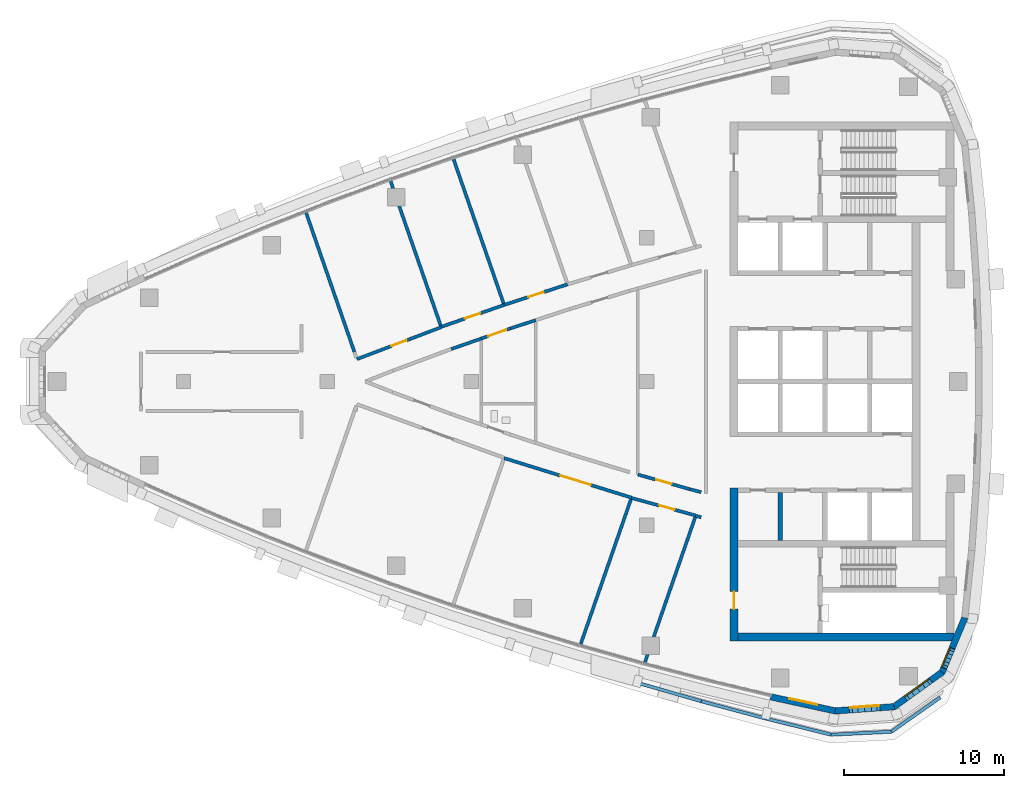
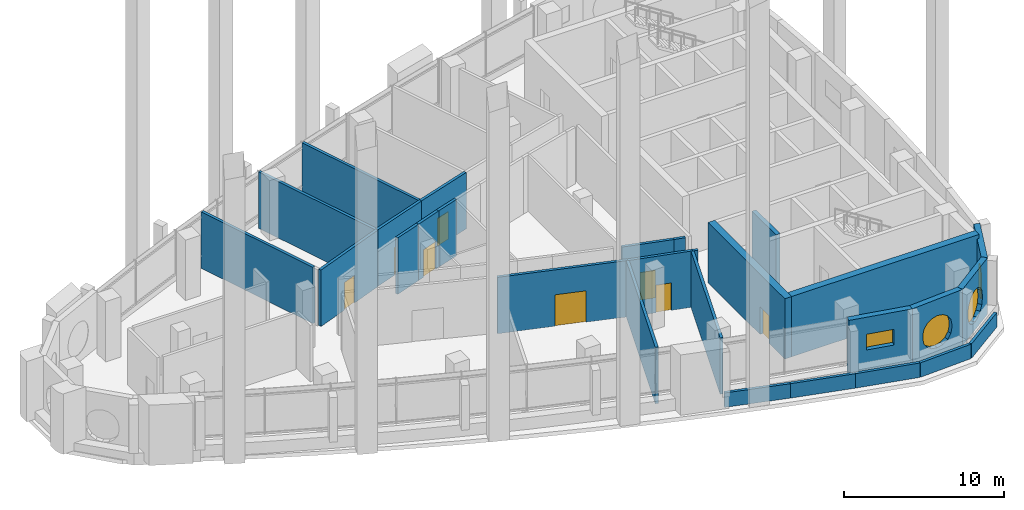
# One storey, part 7 of 15: 28 walls, 8 doors, 4 windows, 12 openings.
"""IFC4 building model written with IfcOpenShell, lengths in metres."""

import ifcopenshell
import ifcopenshell.guid

model = None  # the IFC model being written
_history = None  # IfcOwnerHistory: only IFC2X3 demands one
_inside = {}  # id of a spatial element -> (the spatial element, [elements in it])
_under = {}  # id of a project, library or spatial element -> (it, [spatial elements below it])
_declared = {}  # id of a project -> (the project, [libraries it declares])
_typed = {}  # id of a type object -> (the type object, [elements of that type])
_made_of = {}  # id of a material, layer set ... -> (it, [elements and type objects made of it])


def new_model(schema):
    """Start an empty IFC model of exactly this schema.

    Asked for "IFC4X3", IfcOpenShell would pick the latest addendum, in which some entities
    have other attributes; the version numbers below select the first issue.
    IFC2X3 requires an IfcOwnerHistory on every rooted entity: one is made here for all.
    """
    global model, _history
    if schema == "IFC4X3":
        model = ifcopenshell.file(schema_version=(4, 3, 0, 0))
    else:
        model = ifcopenshell.file(schema=schema)
    _inside.clear()
    _under.clear()
    _declared.clear()
    _typed.clear()
    _made_of.clear()
    _history = None
    if model.schema == "IFC2X3":
        org = make("IfcOrganization", Name="unknown")
        user = make(
            "IfcPersonAndOrganization",
            ThePerson=make("IfcPerson", FamilyName="unknown"),
            TheOrganization=org,
        )
        app = make(
            "IfcApplication",
            ApplicationDeveloper=org,
            Version="unknown",
            ApplicationFullName="unknown",
            ApplicationIdentifier="unknown",
        )
        _history = make(
            "IfcOwnerHistory",
            OwningUser=user,
            OwningApplication=app,
            ChangeAction="ADDED",
            CreationDate=0,
        )
    return model


def make(cls, **values):
    """One entity of the class cls with the attributes given. An attribute that is None is left unset."""
    return model.create_entity(
        cls, **{name: value for name, value in values.items() if value is not None}
    )


def rooted(cls, **values):
    """An entity with a GlobalId (a new one), such as an element, a storey or a relation."""
    return make(cls, GlobalId=ifcopenshell.guid.new(), OwnerHistory=_history, **values)


def si_unit(unit_type, name, prefix=None):
    """IfcSIUnit, for example si_unit("LENGTHUNIT", "METRE", prefix="MILLI")."""
    return make("IfcSIUnit", UnitType=unit_type, Prefix=prefix, Name=name)


def assignment(units):
    """IfcUnitAssignment: the units of a project."""
    return None if units is None else make("IfcUnitAssignment", Units=units)


def point(xyz):
    """IfcCartesianPoint."""
    return None if xyz is None else make("IfcCartesianPoint", Coordinates=xyz)


def direction(xyz):
    """IfcDirection."""
    return None if xyz is None else make("IfcDirection", DirectionRatios=xyz)


def frame(location, z_axis=None, x_axis=None):
    """IfcAxis2Placement3D, a coordinate frame: its origin and axes. An axis left out is left unset."""
    return make(
        "IfcAxis2Placement3D",
        Location=point(location),
        Axis=direction(z_axis),
        RefDirection=direction(x_axis),
    )


def frame_2d(location, x_axis=None):
    """IfcAxis2Placement2D, a coordinate frame in the plane: its origin and x axis."""
    return make(
        "IfcAxis2Placement2D", Location=point(location), RefDirection=direction(x_axis)
    )


def origin():
    """The frame at (0, 0, 0) with its axes left unset."""
    return frame((0.0, 0.0, 0.0))


def place(relative_to, where):
    """IfcLocalPlacement: puts the frame where relative to a parent placement (None: the world)."""
    return make(
        "IfcLocalPlacement", PlacementRelTo=relative_to, RelativePlacement=where
    )


def context(
    kind, dimensions, precision=None, world=None, true_north=None, identifier=None
):
    """IfcGeometricRepresentationContext, for example the 3D "Model" context."""
    return make(
        "IfcGeometricRepresentationContext",
        ContextIdentifier=identifier,
        ContextType=kind,
        CoordinateSpaceDimension=dimensions,
        Precision=precision,
        WorldCoordinateSystem=world,
        TrueNorth=true_north,
    )


def subcontext(parent, identifier, kind, view, scale=None):
    """IfcGeometricRepresentationSubContext, for example "Body" below "Model"."""
    return make(
        "IfcGeometricRepresentationSubContext",
        ContextIdentifier=identifier,
        ContextType=kind,
        ParentContext=parent,
        TargetScale=scale,
        TargetView=view,
    )


def project(units=None, contexts=None):
    """IfcProject with its units and contexts."""
    return rooted(
        "IfcProject",
        Name="project",
        RepresentationContexts=contexts,
        UnitsInContext=assignment(units),
    )


def spatial(cls, under=None, at=None, **own):
    """A site, building, storey or space (cls), placed at a placement, below another one or the project."""
    s = rooted(cls, ObjectPlacement=at, **own)
    if under is not None:
        _under.setdefault(under.id(), (under, []))[1].append(s)
    return s


def polyline(points):
    """IfcPolyline through the points."""
    return make("IfcPolyline", Points=[point(p) for p in points])


def profile(cls, at=None, kind="AREA", **sizes):
    """A parametric profile (cls). Its sizes go by their IFC names, for example OverallWidth=200.0."""
    return make(cls, ProfileType=kind, Position=at, **sizes)


def rectangle(**sizes):
    """IfcRectangleProfileDef."""
    return profile("IfcRectangleProfileDef", **sizes)


def outline(outer, holes=None, kind="AREA"):
    """IfcArbitraryClosedProfileDef: a profile drawn as a closed curve; with holes, ...WithVoids."""
    if holes is None:
        return make("IfcArbitraryClosedProfileDef", ProfileType=kind, OuterCurve=outer)
    return make(
        "IfcArbitraryProfileDefWithVoids",
        ProfileType=kind,
        OuterCurve=outer,
        InnerCurves=holes,
    )


def extrude(swept, where, along, depth):
    """IfcExtrudedAreaSolid: the profile swept, set in the frame where, extruded along a direction by depth."""
    return make(
        "IfcExtrudedAreaSolid",
        SweptArea=swept,
        Position=where,
        ExtrudedDirection=direction(along),
        Depth=depth,
    )


def shape(context_of_items, identifier, shape_type, items):
    """IfcShapeRepresentation: the items that make up one representation, for example the "Body"."""
    return make(
        "IfcShapeRepresentation",
        ContextOfItems=context_of_items,
        RepresentationIdentifier=identifier,
        RepresentationType=shape_type,
        Items=items,
    )


def material(Name=None, Category=None):
    """IfcMaterial."""
    return make("IfcMaterial", Name=Name, Category=Category)


def layer(
    of_material, thickness, ventilated=None, Name=None, Category=None, Priority=None
):
    """IfcMaterialLayer: one layer of a wall or slab, of a material (None: an air gap)."""
    return make(
        "IfcMaterialLayer",
        Material=of_material,
        LayerThickness=thickness,
        IsVentilated=ventilated,
        Name=Name,
        Category=Category,
        Priority=Priority,
    )


def layer_set(layers, Name=None):
    """IfcMaterialLayerSet."""
    return make("IfcMaterialLayerSet", MaterialLayers=layers, LayerSetName=Name)


def made_of(thing, what):
    """Note that an element or type object is made of a material, layer set ...; save() writes the relation."""
    if what is not None:
        _made_of.setdefault(what.id(), (what, []))[1].append(thing)
    return thing


def type_object(cls, material=None, **own):
    """A type object (cls), such as IfcWallType, which elements share."""
    return made_of(rooted(cls, **own), material)


def element(
    cls,
    number,
    at=None,
    inside=None,
    cuts=None,
    type_object=None,
    material=None,
    context=None,
    identifier="Body",
    shape_type=None,
    held_by="IfcProductDefinitionShape",
    body=None,
    shapes=None,
    **own,
):
    """One element of the class cls, such as IfcWall. Its Tag is "e" and its number.

    at: its placement. inside: the storey or other place that contains it. cuts: it is an
    opening in that element (IfcRelVoidsElement). A single representation is given by context,
    identifier, shape_type and body (its items); several are given by shapes. held_by: the class
    of the entity that holds the representations. save() writes the other relations.
    """
    e = rooted(cls, Tag="e%d" % number, ObjectPlacement=at, **own)
    if body is not None:
        shapes = [shape(context, identifier, shape_type, body)]
    if shapes is not None:
        e.Representation = make(held_by, Representations=shapes)
    if inside is not None:
        _inside.setdefault(inside.id(), (inside, []))[1].append(e)
    if cuts is not None:
        rooted(
            "IfcRelVoidsElement", RelatingBuildingElement=cuts, RelatedOpeningElement=e
        )
    if type_object is not None:
        _typed.setdefault(type_object.id(), (type_object, []))[1].append(e)
    return made_of(e, material)


def fill(opening, filler):
    """IfcRelFillsElement: the door or window that sits in an opening."""
    return rooted(
        "IfcRelFillsElement",
        RelatingOpeningElement=opening,
        RelatedBuildingElement=filler,
    )


def aggregate(whole, parts):
    """IfcRelAggregates: a whole, such as a stair, and the parts it consists of."""
    return rooted("IfcRelAggregates", RelatingObject=whole, RelatedObjects=parts)


def save(model, path):
    """Write the relations noted so far, then the file.

    IfcRelAggregates (storeys below a building ...), IfcRelContainedInSpatialStructure (elements
    in a storey), IfcRelDefinesByType, IfcRelAssociatesMaterial and IfcRelDeclares: one each for
    every whole, place, type object, material and project.
    """
    for whole, parts in _under.values():
        aggregate(whole, parts)
    for where, things in _inside.values():
        rooted(
            "IfcRelContainedInSpatialStructure",
            RelatedElements=things,
            RelatingStructure=where,
        )
    for kind, things in _typed.values():
        rooted("IfcRelDefinesByType", RelatedObjects=things, RelatingType=kind)
    for what, things in _made_of.values():
        rooted("IfcRelAssociatesMaterial", RelatedObjects=things, RelatingMaterial=what)
    for by, libraries in _declared.values():
        rooted("IfcRelDeclares", RelatingContext=by, RelatedDefinitions=libraries)
    model.write(path)


model = new_model("IFC4")

# Units and contexts
model_context = context("Model", 3, precision=1e-05, world=origin(), true_north=direction((0.0, 1.0)))
body_context = subcontext(model_context, "Body", "Model", "MODEL_VIEW")
ifc_project = project(units=[si_unit("LENGTHUNIT", "METRE"), si_unit("AREAUNIT", "SQUARE_METRE"), si_unit("VOLUMEUNIT", "CUBIC_METRE"), si_unit("PLANEANGLEUNIT", "RADIAN"), si_unit("MASSUNIT", "GRAM", prefix="KILO")], contexts=[model_context])

# Site, building, storey
site_placement = place(None, origin())
site = spatial("IfcSite", under=ifc_project, at=site_placement, CompositionType="ELEMENT")
building_placement = place(site_placement, origin())
building = spatial("IfcBuilding", under=site, at=building_placement, Name="Ostrand Prow Hotel Tower", CompositionType="ELEMENT")
storey_placement = place(building_placement, frame((0.0, 0.0, 263.300048828125)))
storey = spatial("IfcBuildingStorey", under=building, at=storey_placement, Name="L66", CompositionType="ELEMENT", Elevation=263.300048828125)

# Wall
ifc_material_1 = material(Name="Concrete C50/60", Category="concrete")
ifc_layer_1 = layer(ifc_material_1, 0.300048828125)
ifc_layer_set_1 = layer_set([ifc_layer_1], Name="Concrete C50/60")
wall_type_1 = type_object("IfcWallType", Name="Core wall 300 C50/60", PredefinedType="SHEAR", material=ifc_layer_set_1)
wall_1_placement = place(storey_placement, frame((53.35009765625, -9.949951171875, 0.0), z_axis=(0.0, 0.0, 1.0), x_axis=(0.0, 1.0, 0.0)))
element("IfcWall", 1, at=wall_1_placement, inside=storey, type_object=wall_type_1, Name="Core wall PW-R1-SA", PredefinedType="SHEAR", context=body_context, shape_type="SweptSolid", body=[
    extrude(rectangle(XDim=3.0, YDim=0.300048828125, at=frame_2d((1.5, 0.0))), origin(), (0.0, 0.0, 1.0), 4.599853515625),
])

# Wall, opening, door
ifc_material_2 = material(Name="Concrete C50/60", Category="concrete")
ifc_layer_2 = layer(ifc_material_2, 0.5)
ifc_layer_set_2 = layer_set([ifc_layer_2], Name="Concrete C50/60")
wall_type_2 = type_object("IfcWallType", Name="Core wall 500 C50/60", PredefinedType="SHEAR", material=ifc_layer_set_2)
wall_2_placement = place(storey_placement, frame((50.449951171875, -16.25, 0.0), z_axis=(0.0, 0.0, 1.0), x_axis=(0.0, 1.0, 0.0)))
wall_2 = element("IfcWall", 2, at=wall_2_placement, inside=storey, type_object=wall_type_2, Name="Core wall CW-W-S", PredefinedType="SHEAR", context=body_context, shape_type="SweptSolid", body=[
    extrude(rectangle(XDim=9.60009765625, YDim=0.5, at=frame_2d((4.800048828125, 0.0))), origin(), (0.0, 0.0, 1.0), 4.599853515625),
])
opening_1_placement = place(wall_2_placement, frame((2.0, 0.0, 0.0)))
opening_1 = element("IfcOpeningElement", 3, at=opening_1_placement, cuts=wall_2, Name="Opening FD1", PredefinedType="OPENING", context=body_context, shape_type="SweptSolid", body=[
    extrude(rectangle(XDim=1.10009765625, YDim=2.10009765625, at=frame_2d((0.550048828125, 1.050048828125))), frame((0.0, 0.260009765625, 0.0), z_axis=(0.0, -1.0, 0.0), x_axis=(1.0, 0.0, 0.0)), (0.0, 0.0, 1.0), 0.52001953125),
])
ifc_material_3 = material(Name="Steel fire door", Category="steel")
door_type_1 = type_object("IfcDoorType", Name="Fire door 1100 EI120", OperationType="SINGLE_SWING_RIGHT", PredefinedType="DOOR", material=ifc_material_3)
door_1_placement = place(opening_1_placement, origin())
door_1 = element("IfcDoor", 4, at=door_1_placement, inside=storey, type_object=door_type_1, Name="FIRE DOOR", OperationType="SINGLE_SWING_RIGHT", OverallHeight=2.10009765625, OverallWidth=1.10009765625, PredefinedType="DOOR", context=body_context, shape_type="SweptSolid", body=[
    extrude(rectangle(XDim=1.10009765625, YDim=2.10009765625, at=frame_2d((0.550048828125, 1.050048828125))), frame((0.0, 0.02490234375, 0.0), z_axis=(0.0, -1.0, 0.0), x_axis=(1.0, 0.0, 0.0)), (0.0, 0.0, 1.0), 0.050048828125),
])
fill(opening_1, door_1)

# Wall
wall_3_placement = place(storey_placement, frame((50.699951171875, -16.0, 0.0), z_axis=(0.0, 0.0, 1.0), x_axis=(1.0, 0.0, 0.0)))
element("IfcWall", 5, at=wall_3_placement, inside=storey, type_object=wall_type_2, Name="Core wall CW-S", PredefinedType="SHEAR", context=body_context, shape_type="SweptSolid", body=[
    extrude(rectangle(XDim=13.52001953125, YDim=0.5, at=frame_2d((6.760009765625, 0.0))), origin(), (0.0, 0.0, 1.0), 4.599853515625),
])

# Wall, opening, door
ifc_material_4 = material(Name="Plasterboard partition")
ifc_layer_3 = layer(ifc_material_4, 0.199951171875)
ifc_layer_set_3 = layer_set([ifc_layer_3], Name="Plasterboard partition")
wall_type_3 = type_object("IfcWallType", Name="Partition 200 corridor wall", PredefinedType="PARTITIONING", material=ifc_layer_set_3)
wall_4_placement = place(storey_placement, frame((26.85009765625, 1.4013671875, 0.0), z_axis=(0.0, 0.0, 1.0), x_axis=(0.935181367748, 0.354169181912, 0.0)))
wall_4 = element("IfcWall", 6, at=wall_4_placement, inside=storey, type_object=wall_type_3, Name="CORRIDOR WALL", PredefinedType="PARTITIONING", context=body_context, shape_type="SweptSolid", body=[
    extrude(rectangle(XDim=5.64501953125, YDim=0.199951171875, at=frame_2d((2.822509765625, 0.0))), origin(), (0.0, 0.0, 1.0), 4.300048828125),
])
opening_2_placement = place(wall_4_placement, frame((2.322509765625, 0.0, 0.0)))
opening_2 = element("IfcOpeningElement", 7, at=opening_2_placement, cuts=wall_4, Name="Opening D1R", PredefinedType="OPENING", context=body_context, shape_type="SweptSolid", body=[
    extrude(rectangle(XDim=1.0, YDim=2.10009765625, at=frame_2d((0.5, 1.050048828125))), frame((0.0, 0.10986328125, 0.0), z_axis=(0.0, -1.0, 0.0), x_axis=(1.0, 0.0, 0.0)), (0.0, 0.0, 1.0), 0.219970703125),
])
ifc_material_5 = material(Name="Timber door leaf", Category="wood")
door_type_2 = type_object("IfcDoorType", Name="Guest room door 1000 right", OperationType="SINGLE_SWING_RIGHT", PredefinedType="DOOR", material=ifc_material_5)
door_2_placement = place(opening_2_placement, origin())
door_2 = element("IfcDoor", 8, at=door_2_placement, inside=storey, type_object=door_type_2, Name="DOOR", OperationType="SINGLE_SWING_RIGHT", OverallHeight=2.10009765625, OverallWidth=1.0, PredefinedType="DOOR", context=body_context, shape_type="SweptSolid", body=[
    extrude(rectangle(XDim=1.0, YDim=2.10009765625, at=frame_2d((0.5, 1.050048828125))), frame((0.0, 0.02490234375, 0.0), z_axis=(0.0, -1.0, 0.0), x_axis=(1.0, 0.0, 0.0)), (0.0, 0.0, 1.0), 0.050048828125),
])
fill(opening_2, door_2)

wall_5_placement = place(storey_placement, frame((36.064208984375, 4.794189453125, 0.0), z_axis=(0.0, 0.0, 1.0), x_axis=(-0.944236129554, -0.329269086986, 0.0)))
wall_5 = element("IfcWall", 9, at=wall_5_placement, inside=storey, type_object=wall_type_3, Name="CORRIDOR WALL", PredefinedType="PARTITIONING", context=body_context, shape_type="SweptSolid", body=[
    extrude(rectangle(XDim=4.17431640625, YDim=0.199951171875, at=frame_2d((2.087158203125, 0.0))), origin(), (0.0, 0.0, 1.0), 4.300048828125),
])
opening_3_placement = place(wall_5_placement, frame((1.587158203125, 0.0, 0.0)))
opening_3 = element("IfcOpeningElement", 10, at=opening_3_placement, cuts=wall_5, Name="Opening D1", PredefinedType="OPENING", context=body_context, shape_type="SweptSolid", body=[
    extrude(rectangle(XDim=1.0, YDim=2.10009765625, at=frame_2d((0.5, 1.050048828125))), frame((0.0, 0.10986328125, 0.0), z_axis=(0.0, -1.0, 0.0), x_axis=(1.0, 0.0, 0.0)), (0.0, 0.0, 1.0), 0.219970703125),
])
ifc_material_6 = material(Name="Timber door leaf", Category="wood")
door_type_3 = type_object("IfcDoorType", Name="Guest room door 1000", OperationType="SINGLE_SWING_LEFT", PredefinedType="DOOR", material=ifc_material_6)
door_3_placement = place(opening_3_placement, origin())
door_3 = element("IfcDoor", 11, at=door_3_placement, inside=storey, type_object=door_type_3, Name="DOOR", OperationType="SINGLE_SWING_LEFT", OverallHeight=2.10009765625, OverallWidth=1.0, PredefinedType="DOOR", context=body_context, shape_type="SweptSolid", body=[
    extrude(rectangle(XDim=1.0, YDim=2.10009765625, at=frame_2d((0.5, 1.050048828125))), frame((0.0, 0.02490234375, 0.0), z_axis=(0.0, -1.0, 0.0), x_axis=(1.0, 0.0, 0.0)), (0.0, 0.0, 1.0), 0.050048828125),
])
fill(opening_3, door_3)

wall_6_placement = place(storey_placement, frame((40.035400390625, 6.08251953125, 0.0), z_axis=(0.0, 0.0, 1.0), x_axis=(-0.951196378796, -0.308586209941, 0.0)))
wall_6 = element("IfcWall", 12, at=wall_6_placement, inside=storey, type_object=wall_type_3, Name="CORRIDOR WALL", PredefinedType="PARTITIONING", context=body_context, shape_type="SweptSolid", body=[
    extrude(rectangle(XDim=4.175048828125, YDim=0.199951171875, at=frame_2d((2.08740234375, 0.0))), origin(), (0.0, 0.0, 1.0), 4.300048828125),
])
opening_4_placement = place(wall_6_placement, frame((1.587646484375, 0.0, 0.0)))
opening_4 = element("IfcOpeningElement", 13, at=opening_4_placement, cuts=wall_6, Name="Opening D1R", PredefinedType="OPENING", context=body_context, shape_type="SweptSolid", body=[
    extrude(rectangle(XDim=1.0, YDim=2.10009765625, at=frame_2d((0.5, 1.050048828125))), frame((0.0, 0.10986328125, 0.0), z_axis=(0.0, -1.0, 0.0), x_axis=(1.0, 0.0, 0.0)), (0.0, 0.0, 1.0), 0.219970703125),
])
door_4_placement = place(opening_4_placement, origin())
door_4 = element("IfcDoor", 14, at=door_4_placement, inside=storey, type_object=door_type_2, Name="DOOR", OperationType="SINGLE_SWING_RIGHT", OverallHeight=2.10009765625, OverallWidth=1.0, PredefinedType="DOOR", context=body_context, shape_type="SweptSolid", body=[
    extrude(rectangle(XDim=1.0, YDim=2.10009765625, at=frame_2d((0.5, 1.050048828125))), frame((0.0, 0.02490234375, 0.0), z_axis=(0.0, -1.0, 0.0), x_axis=(1.0, 0.0, 0.0)), (0.0, 0.0, 1.0), 0.050048828125),
])
fill(opening_4, door_4)

wall_7_placement = place(storey_placement, frame((36.064208984375, -4.794189453125, 0.0), z_axis=(0.0, 0.0, 1.0), x_axis=(0.955129200503, -0.296189483855, 0.0)))
wall_7 = element("IfcWall", 15, at=wall_7_placement, inside=storey, type_object=wall_type_3, Name="CORRIDOR WALL", PredefinedType="PARTITIONING", context=body_context, shape_type="SweptSolid", body=[
    extrude(rectangle(XDim=8.34814453125, YDim=0.199951171875, at=frame_2d((4.174072265625, 0.0))), origin(), (0.0, 0.0, 1.0), 4.300048828125),
])
opening_5_placement = place(wall_7_placement, frame((3.674072265625, 0.0, 0.0)))
opening_5 = element("IfcOpeningElement", 16, at=opening_5_placement, cuts=wall_7, Name="Opening D20", PredefinedType="OPENING", context=body_context, shape_type="SweptSolid", body=[
    extrude(rectangle(XDim=2.0, YDim=2.39990234375, at=frame_2d((1.0, 1.199951171875))), frame((0.0, 0.10986328125, 0.0), z_axis=(0.0, -1.0, 0.0), x_axis=(1.0, 0.0, 0.0)), (0.0, 0.0, 1.0), 0.219970703125),
])
ifc_material_7 = material(Name="Timber door leaf", Category="wood")
door_type_4 = type_object("IfcDoorType", Name="Double door 2000", OperationType="DOUBLE_DOOR_SINGLE_SWING", PredefinedType="DOOR", material=ifc_material_7)
door_5_placement = place(opening_5_placement, origin())
door_5 = element("IfcDoor", 17, at=door_5_placement, inside=storey, type_object=door_type_4, Name="DOOR", OperationType="DOUBLE_DOOR_SINGLE_SWING", OverallHeight=2.39990234375, OverallWidth=2.0, PredefinedType="DOOR", context=body_context, shape_type="SweptSolid", body=[
    extrude(rectangle(XDim=2.0, YDim=2.39990234375, at=frame_2d((1.0, 1.199951171875))), frame((0.0, 0.02490234375, 0.0), z_axis=(0.0, -1.0, 0.0), x_axis=(1.0, 0.0, 0.0)), (0.0, 0.0, 1.0), 0.050048828125),
])
fill(opening_5, door_5)

wall_8_placement = place(storey_placement, frame((44.03125, -7.285888671875, 0.0), z_axis=(0.0, 0.0, 1.0), x_axis=(0.964708521199, -0.263320088726, 0.0)))
wall_8 = element("IfcWall", 18, at=wall_8_placement, inside=storey, type_object=wall_type_3, Name="CORRIDOR WALL", PredefinedType="PARTITIONING", context=body_context, shape_type="SweptSolid", body=[
    extrude(rectangle(XDim=4.1787109375, YDim=0.199951171875, at=frame_2d((2.08935546875, 0.0))), origin(), (0.0, 0.0, 1.0), 4.300048828125),
])
opening_6_placement = place(wall_8_placement, frame((1.800048828125, 0.0, 0.0)))
opening_6 = element("IfcOpeningElement", 19, at=opening_6_placement, cuts=wall_8, Name="Opening D1R", PredefinedType="OPENING", context=body_context, shape_type="SweptSolid", body=[
    extrude(rectangle(XDim=1.0, YDim=2.10009765625, at=frame_2d((0.5, 1.050048828125))), frame((0.0, 0.10986328125, 0.0), z_axis=(0.0, -1.0, 0.0), x_axis=(1.0, 0.0, 0.0)), (0.0, 0.0, 1.0), 0.219970703125),
])
door_6_placement = place(opening_6_placement, origin())
door_6 = element("IfcDoor", 20, at=door_6_placement, inside=storey, type_object=door_type_2, Name="DOOR", OperationType="SINGLE_SWING_RIGHT", OverallHeight=2.10009765625, OverallWidth=1.0, PredefinedType="DOOR", context=body_context, shape_type="SweptSolid", body=[
    extrude(rectangle(XDim=1.0, YDim=2.10009765625, at=frame_2d((0.5, 1.050048828125))), frame((0.0, 0.02490234375, 0.0), z_axis=(0.0, -1.0, 0.0), x_axis=(1.0, 0.0, 0.0)), (0.0, 0.0, 1.0), 0.050048828125),
])
fill(opening_6, door_6)

# Wall
wall_9_placement = place(storey_placement, frame((32.759765625, 2.034912109375, 0.0), z_axis=(0.0, 0.0, 1.0), x_axis=(0.944298975954, 0.3290888087, 0.0)))
element("IfcWall", 21, at=wall_9_placement, inside=storey, type_object=wall_type_3, Name="CORRIDOR WALL", PredefinedType="PARTITIONING", context=body_context, shape_type="SweptSolid", body=[
    extrude(rectangle(XDim=1.98291015625, YDim=0.199951171875, at=frame_2d((0.991455078125, 0.0))), origin(), (0.0, 0.0, 1.0), 4.300048828125),
])

# Wall, opening, door
wall_10_placement = place(storey_placement, frame((34.63232421875, 2.6875, 0.0), z_axis=(0.0, 0.0, 1.0), x_axis=(0.944267869157, 0.329178054066, 0.0)))
wall_10 = element("IfcWall", 22, at=wall_10_placement, inside=storey, type_object=wall_type_3, Name="CORRIDOR WALL", PredefinedType="PARTITIONING", context=body_context, shape_type="SweptSolid", body=[
    extrude(rectangle(XDim=1.929931640625, YDim=0.199951171875, at=frame_2d((0.96484375, 0.0))), origin(), (0.0, 0.0, 1.0), 4.300048828125),
])
opening_7_placement = place(wall_10_placement, frame((0.465087890625, 0.0, 0.0)))
opening_7 = element("IfcOpeningElement", 23, at=opening_7_placement, cuts=wall_10, Name="Opening D12", PredefinedType="OPENING", context=body_context, shape_type="SweptSolid", body=[
    extrude(rectangle(XDim=1.199951171875, YDim=2.10009765625, at=frame_2d((0.60009765625, 1.050048828125))), frame((0.0, 0.10986328125, 0.0), z_axis=(0.0, -1.0, 0.0), x_axis=(1.0, 0.0, 0.0)), (0.0, 0.0, 1.0), 0.219970703125),
])
ifc_material_8 = material(Name="Steel service door", Category="steel")
door_type_5 = type_object("IfcDoorType", Name="Service door 1200", OperationType="SINGLE_SWING_RIGHT", PredefinedType="DOOR", material=ifc_material_8)
door_7_placement = place(opening_7_placement, origin())
door_7 = element("IfcDoor", 24, at=door_7_placement, inside=storey, type_object=door_type_5, Name="DOOR", OperationType="SINGLE_SWING_RIGHT", OverallHeight=2.10009765625, OverallWidth=1.199951171875, PredefinedType="DOOR", context=body_context, shape_type="SweptSolid", body=[
    extrude(rectangle(XDim=1.199951171875, YDim=2.10009765625, at=frame_2d((0.60009765625, 1.050048828125))), frame((0.0, 0.02490234375, 0.0), z_axis=(0.0, -1.0, 0.0), x_axis=(1.0, 0.0, 0.0)), (0.0, 0.0, 1.0), 0.050048828125),
])
fill(opening_7, door_7)

# Wall
wall_11_placement = place(storey_placement, frame((36.45458984375, 3.32275390625, 0.0), z_axis=(0.0, 0.0, 1.0), x_axis=(0.950695184954, 0.31012685357, 0.0)))
element("IfcWall", 25, at=wall_11_placement, inside=storey, type_object=wall_type_3, Name="CORRIDOR WALL", PredefinedType="PARTITIONING", context=body_context, shape_type="SweptSolid", body=[
    extrude(rectangle(XDim=1.67041015625, YDim=0.199951171875, at=frame_2d((0.835205078125, 0.0))), origin(), (0.0, 0.0, 1.0), 4.300048828125),
])

# Wall, opening, door
wall_12_placement = place(storey_placement, frame((47.684326171875, -6.737548828125, 0.0), z_axis=(0.0, 0.0, 1.0), x_axis=(-0.962403613575, 0.271623424206, 0.0)))
wall_12 = element("IfcWall", 26, at=wall_12_placement, inside=storey, type_object=wall_type_3, Name="CORRIDOR WALL", PredefinedType="PARTITIONING", context=body_context, shape_type="SweptSolid", body=[
    extrude(rectangle(XDim=3.374267578125, YDim=0.199951171875, at=frame_2d((1.68701171875, 0.0))), origin(), (0.0, 0.0, 1.0), 4.300048828125),
])
opening_8_placement = place(wall_12_placement, frame((1.18701171875, 0.0, 0.0)))
opening_8 = element("IfcOpeningElement", 27, at=opening_8_placement, cuts=wall_12, Name="Opening D1R", PredefinedType="OPENING", context=body_context, shape_type="SweptSolid", body=[
    extrude(rectangle(XDim=1.0, YDim=2.10009765625, at=frame_2d((0.5, 1.050048828125))), frame((0.0, 0.10986328125, 0.0), z_axis=(0.0, -1.0, 0.0), x_axis=(1.0, 0.0, 0.0)), (0.0, 0.0, 1.0), 0.219970703125),
])
door_8_placement = place(opening_8_placement, origin())
door_8 = element("IfcDoor", 28, at=door_8_placement, inside=storey, type_object=door_type_2, Name="DOOR", OperationType="SINGLE_SWING_RIGHT", OverallHeight=2.10009765625, OverallWidth=1.0, PredefinedType="DOOR", context=body_context, shape_type="SweptSolid", body=[
    extrude(rectangle(XDim=1.0, YDim=2.10009765625, at=frame_2d((0.5, 1.050048828125))), frame((0.0, 0.02490234375, 0.0), z_axis=(0.0, -1.0, 0.0), x_axis=(1.0, 0.0, 0.0)), (0.0, 0.0, 1.0), 0.050048828125),
])
fill(opening_8, door_8)

# Walls
wall_13_placement = place(storey_placement, frame((48.055908203125, -8.4052734375, 0.0), z_axis=(0.0, 0.0, 1.0), x_axis=(0.96754430933, -0.252701423587, 0.0)))
element("IfcWall", 29, at=wall_13_placement, inside=storey, type_object=wall_type_3, Name="CORRIDOR WALL", PredefinedType="PARTITIONING", context=body_context, shape_type="SweptSolid", body=[
    extrude(rectangle(XDim=0.35546875, YDim=0.199951171875, at=frame_2d((0.177734375, 0.0))), origin(), (0.0, 0.0, 1.0), 4.300048828125),
])
wall_14_placement = place(storey_placement, frame((48.39990234375, -6.92431640625, 0.0), z_axis=(0.0, 0.0, 1.0), x_axis=(-0.967585713416, 0.252542842294, 0.0)))
element("IfcWall", 30, at=wall_14_placement, inside=storey, type_object=wall_type_3, Name="CORRIDOR WALL", PredefinedType="PARTITIONING", context=body_context, shape_type="SweptSolid", body=[
    extrude(rectangle(XDim=0.739501953125, YDim=0.199951171875, at=frame_2d((0.36962890625, 0.0))), origin(), (0.0, 0.0, 1.0), 4.300048828125),
])
ifc_material_9 = material(Name="Plasterboard partition")
ifc_layer_4 = layer(ifc_material_9, 0.199951171875)
ifc_layer_set_4 = layer_set([ifc_layer_4], Name="Plasterboard partition")
wall_type_4 = type_object("IfcWallType", Name="Partition 200 key partition", PredefinedType="PARTITIONING", material=ifc_layer_set_4)
wall_15_placement = place(storey_placement, frame((26.6943359375, 1.85009765625, 0.0), z_axis=(0.0, 0.0, 1.0), x_axis=(-0.327714422317, 0.944776829418, 0.0)))
element("IfcWall", 31, at=wall_15_placement, inside=storey, type_object=wall_type_4, Name="KEY PARTITION", PredefinedType="PARTITIONING", context=body_context, shape_type="SweptSolid", body=[
    extrude(rectangle(XDim=9.2333984375, YDim=0.199951171875, at=frame_2d((4.61669921875, 0.0))), origin(), (0.0, 0.0, 1.0), 4.300048828125),
])
wall_16_placement = place(storey_placement, frame((32.129150390625, 3.400634765625, 0.0), z_axis=(0.0, 0.0, 1.0), x_axis=(-0.327724115377, 0.944773467134, 0.0)))
element("IfcWall", 32, at=wall_16_placement, inside=storey, type_object=wall_type_4, Name="KEY PARTITION", PredefinedType="PARTITIONING", context=body_context, shape_type="SweptSolid", body=[
    extrude(rectangle(XDim=9.702392578125, YDim=0.199951171875, at=frame_2d((4.85107421875, 0.0))), origin(), (0.0, 0.0, 1.0), 4.300048828125),
])
wall_17_placement = place(storey_placement, frame((36.07080078125, 4.775390625, 0.0), z_axis=(0.0, 0.0, 1.0), x_axis=(-0.327725028322, 0.94477315045, 0.0)))
element("IfcWall", 33, at=wall_17_placement, inside=storey, type_object=wall_type_4, Name="KEY PARTITION", PredefinedType="PARTITIONING", context=body_context, shape_type="SweptSolid", body=[
    extrude(rectangle(XDim=9.70166015625, YDim=0.199951171875, at=frame_2d((4.850830078125, 0.0))), origin(), (0.0, 0.0, 1.0), 4.300048828125),
])
wall_18_placement = place(storey_placement, frame((40.853515625, -16.447021484375, 0.0), z_axis=(0.0, 0.0, 1.0), x_axis=(0.327714576096, 0.944776776077, 0.0)))
element("IfcWall", 34, at=wall_18_placement, inside=storey, type_object=wall_type_4, Name="KEY PARTITION", PredefinedType="PARTITIONING", context=body_context, shape_type="SweptSolid", body=[
    extrude(rectangle(XDim=9.716796875, YDim=0.199951171875, at=frame_2d((4.8583984375, 0.0))), origin(), (0.0, 0.0, 1.0), 4.300048828125),
])
wall_19_placement = place(storey_placement, frame((44.873779296875, -17.5791015625, 0.0), z_axis=(0.0, 0.0, 1.0), x_axis=(0.327705598625, 0.944779890043, 0.0)))
element("IfcWall", 35, at=wall_19_placement, inside=storey, type_object=wall_type_4, Name="KEY PARTITION", PredefinedType="PARTITIONING", context=body_context, shape_type="SweptSolid", body=[
    extrude(rectangle(XDim=9.60986328125, YDim=0.199951171875, at=frame_2d((4.804931640625, 0.0))), origin(), (0.0, 0.0, 1.0), 4.300048828125),
])
ifc_material_10 = material(Name="Precast concrete C40/50", Category="concrete")
ifc_layer_5 = layer(ifc_material_10, 0.199951171875)
ifc_layer_set_5 = layer_set([ifc_layer_5], Name="Precast concrete C40/50")
wall_type_5 = type_object("IfcWallType", Name="Roof parapet 200 mm precast concrete", PredefinedType="PARAPET", material=ifc_layer_set_5)
wall_20_placement = place(storey_placement, frame((44.33837890625, -18.832763671875, 0.0), z_axis=(0.0, 0.0, 1.0), x_axis=(0.960476446862, -0.278361267103, 0.0)))
element("IfcWall", 36, at=wall_20_placement, inside=storey, type_object=wall_type_5, Name="Roof parapet LPR0 2.8", PredefinedType="PARAPET", context=body_context, shape_type="SweptSolid", body=[
    extrude(rectangle(XDim=4.22314453125, YDim=0.199951171875, at=frame_2d((2.111572265625, 0.0))), origin(), (0.0, 0.0, 1.0), 1.099853515625),
])
wall_21_placement = place(storey_placement, frame((48.39453125, -20.00830078125, 0.0), z_axis=(0.0, 0.0, 1.0), x_axis=(0.965877060865, -0.259000971609, 0.0)))
element("IfcWall", 37, at=wall_21_placement, inside=storey, type_object=wall_type_5, Name="Roof parapet LPR0 2.9", PredefinedType="PARAPET", context=body_context, shape_type="SweptSolid", body=[
    extrude(rectangle(XDim=4.222900390625, YDim=0.199951171875, at=frame_2d((2.111328125, 0.0))), origin(), (0.0, 0.0, 1.0), 1.099853515625),
])
wall_22_placement = place(storey_placement, frame((52.473388671875, -21.10205078125, 0.0), z_axis=(0.0, 0.0, 1.0), x_axis=(0.970892517903, -0.239515591724, 0.0)))
element("IfcWall", 38, at=wall_22_placement, inside=storey, type_object=wall_type_5, Name="Roof parapet LPR0 2.10", PredefinedType="PARAPET", context=body_context, shape_type="SweptSolid", body=[
    extrude(rectangle(XDim=4.186279296875, YDim=0.199951171875, at=frame_2d((2.09326171875, 0.0))), origin(), (0.0, 0.0, 1.0), 1.099853515625),
])
wall_23_placement = place(storey_placement, frame((56.537841796875, -22.104736328125, 0.0), z_axis=(0.0, 0.0, 1.0), x_axis=(0.998757819613, 0.049827881372, 0.0)))
element("IfcWall", 39, at=wall_23_placement, inside=storey, type_object=wall_type_5, Name="Roof parapet LPR0 2.11", PredefinedType="PARAPET", context=body_context, shape_type="SweptSolid", body=[
    extrude(rectangle(XDim=3.772705078125, YDim=0.199951171875, at=frame_2d((1.88623046875, 0.0))), origin(), (0.0, 0.0, 1.0), 1.099853515625),
])
wall_24_placement = place(storey_placement, frame((60.305908203125, -21.916748046875, 0.0), z_axis=(0.0, 0.0, 1.0), x_axis=(0.817908975585, 0.575347640699, 0.0)))
element("IfcWall", 40, at=wall_24_placement, inside=storey, type_object=wall_type_5, Name="Roof parapet LPR0 2.12", PredefinedType="PARAPET", context=body_context, shape_type="SweptSolid", body=[
    extrude(rectangle(XDim=3.734130859375, YDim=0.199951171875, at=frame_2d((1.8671875, 0.0))), origin(), (0.0, 0.0, 1.0), 1.099853515625),
])

# Wall, opening, window
ifc_material_11 = material(Name="Precast concrete C40/50", Category="concrete")
ifc_layer_6 = layer(ifc_material_11, 0.39990234375)
ifc_layer_set_6 = layer_set([ifc_layer_6], Name="Precast concrete C40/50")
wall_type_6 = type_object("IfcWallType", Name="Stone-faced precast wall 400 mm", PredefinedType="NOTDEFINED", material=ifc_layer_set_6)
wall_25_placement = place(storey_placement, frame((52.73828125, -19.73193359375, 0.0), z_axis=(0.0, 0.0, 1.0), x_axis=(0.977020225348, -0.213146614471, 0.0)))
wall_25 = element("IfcWall", 41, at=wall_25_placement, inside=storey, type_object=wall_type_6, Name="Stone-faced wall back 1", PredefinedType="NOTDEFINED", context=body_context, shape_type="SweptSolid", body=[
    extrude(outline(polyline([(0.0, -0.199951171875), (4.170654296875, -0.199951171875), (4.113037109375, 0.199951171875), (0.0, 0.199951171875), (0.0, -0.199951171875)])), origin(), (0.0, 0.0, 1.0), 4.300048828125),
])
opening_9_placement = place(wall_25_placement, frame((1.1708984375, 0.0, 1.800048828125)))
opening_9 = element("IfcOpeningElement", 42, at=opening_9_placement, cuts=wall_25, Name="Opening WC1", PredefinedType="OPENING", context=body_context, shape_type="SweptSolid", body=[
    extrude(rectangle(XDim=1.800048828125, YDim=1.199951171875, at=frame_2d((0.89990234375, 0.60009765625))), frame((0.0, 0.2099609375, 0.0), z_axis=(0.0, -1.0, 0.0), x_axis=(1.0, 0.0, 0.0)), (0.0, 0.0, 1.0), 0.419921875),
])
ifc_material_12 = material(Name="Insulated glass in bronze frame", Category="glass")
window_type_1 = type_object("IfcWindowType", Name="Sky lobby clerestory window 1800x1200", PartitioningType="SINGLE_PANEL", PredefinedType="WINDOW", material=ifc_material_12)
window_1_placement = place(opening_9_placement, origin())
window_1 = element("IfcWindow", 43, at=window_1_placement, inside=storey, type_object=window_type_1, Name="Window back 1.1", OverallHeight=1.199951171875, OverallWidth=1.800048828125, PartitioningType="SINGLE_PANEL", PredefinedType="WINDOW", context=body_context, shape_type="SweptSolid", body=[
    extrude(rectangle(XDim=1.800048828125, YDim=1.199951171875, at=frame_2d((0.89990234375, 0.60009765625))), frame((0.0, 0.169921875, 0.0), z_axis=(0.0, -1.0, 0.0), x_axis=(1.0, 0.0, 0.0)), (0.0, 0.0, 1.0), 0.06005859375),
])
fill(opening_9, window_1)

wall_26_placement = place(storey_placement, frame((56.784912109375, -20.61474609375, 0.0), z_axis=(0.0, 0.0, 1.0), x_axis=(0.99746272096, 0.071190731806, 0.0)))
wall_26 = element("IfcWall", 44, at=wall_26_placement, inside=storey, type_object=wall_type_6, Name="Stone-faced wall back 2", PredefinedType="NOTDEFINED", context=body_context, shape_type="SweptSolid", body=[
    extrude(outline(polyline([(-0.02880859375, -0.199951171875), (3.75341796875, -0.199951171875), (3.64013671875, 0.199951171875), (0.02880859375, 0.199951171875), (-0.02880859375, -0.199951171875)])), origin(), (0.0, 0.0, 1.0), 4.300048828125),
])
opening_10_placement = place(wall_26_placement, frame((0.748291015625, 0.0, 0.60009765625)))
opening_10 = element("IfcOpeningElement", 45, at=opening_10_placement, cuts=wall_26, Name="Opening WP2", PredefinedType="OPENING", context=body_context, shape_type="SweptSolid", body=[
    extrude(outline(polyline([(0.0, 1.35009765625), (0.083740234375, 1.77099609375), (0.322265625, 2.127685546875), (0.678955078125, 2.3662109375), (1.10009765625, 2.449951171875), (1.52099609375, 2.3662109375), (1.877685546875, 2.127685546875), (2.1162109375, 1.77099609375), (2.199951171875, 1.35009765625), (2.199951171875, 1.10009765625), (2.1162109375, 0.678955078125), (1.877685546875, 0.322265625), (1.52099609375, 0.083740234375), (1.10009765625, 0.0), (0.678955078125, 0.083740234375), (0.322265625, 0.322265625), (0.083740234375, 0.678955078125), (0.0, 1.099853515625), (0.0, 1.35009765625)])), frame((0.0, 0.2099609375, 0.0), z_axis=(0.0, -1.0, 0.0), x_axis=(1.0, 0.0, 0.0)), (0.0, 0.0, 1.0), 0.419921875),
])
ifc_material_13 = material(Name="Insulated glass in bronze frame", Category="glass")
window_type_2 = type_object("IfcWindowType", Name="Round-ended prow lounge window 2200x2450", PartitioningType="SINGLE_PANEL", PredefinedType="WINDOW", material=ifc_material_13)
window_2_placement = place(opening_10_placement, origin())
window_2 = element("IfcWindow", 46, at=window_2_placement, inside=storey, type_object=window_type_2, Name="Window back 2.1", OverallHeight=2.449951171875, OverallWidth=2.199951171875, PartitioningType="SINGLE_PANEL", PredefinedType="WINDOW", context=body_context, shape_type="SweptSolid", body=[
    extrude(outline(polyline([(0.0, 1.35009765625), (0.083740234375, 1.77099609375), (0.322265625, 2.127685546875), (0.678955078125, 2.3662109375), (1.10009765625, 2.449951171875), (1.52099609375, 2.3662109375), (1.877685546875, 2.127685546875), (2.1162109375, 1.77099609375), (2.199951171875, 1.35009765625), (2.199951171875, 1.10009765625), (2.1162109375, 0.678955078125), (1.877685546875, 0.322265625), (1.52099609375, 0.083740234375), (1.10009765625, 0.0), (0.678955078125, 0.083740234375), (0.322265625, 0.322265625), (0.083740234375, 0.678955078125), (0.0, 1.099853515625), (0.0, 1.35009765625)])), frame((0.0, 0.169921875, 0.0), z_axis=(0.0, -1.0, 0.0), x_axis=(1.0, 0.0, 0.0)), (0.0, 0.0, 1.0), 0.06005859375),
])
fill(opening_10, window_2)

wall_27_placement = place(storey_placement, frame((60.472412109375, -20.3515625, 0.0), z_axis=(0.0, 0.0, 1.0), x_axis=(0.811962548682, 0.583709533533, 0.0)))
wall_27 = element("IfcWall", 47, at=wall_27_placement, inside=storey, type_object=wall_type_6, Name="Stone-faced wall back 3", PredefinedType="NOTDEFINED", context=body_context, shape_type="SweptSolid", body=[
    extrude(outline(polyline([(-0.056640625, -0.199951171875), (3.753173828125, -0.199951171875), (3.639892578125, 0.199951171875), (0.056640625, 0.199951171875), (-0.056640625, -0.199951171875)])), origin(), (0.0, 0.0, 1.0), 4.300048828125),
])
opening_11_placement = place(wall_27_placement, frame((0.748291015625, 0.0, 0.60009765625)))
opening_11 = element("IfcOpeningElement", 48, at=opening_11_placement, cuts=wall_27, Name="Opening WP2", PredefinedType="OPENING", context=body_context, shape_type="SweptSolid", body=[
    extrude(outline(polyline([(0.0, 1.35009765625), (0.083740234375, 1.77099609375), (0.322265625, 2.127685546875), (0.678955078125, 2.3662109375), (1.10009765625, 2.449951171875), (1.52099609375, 2.3662109375), (1.877685546875, 2.127685546875), (2.1162109375, 1.77099609375), (2.199951171875, 1.35009765625), (2.199951171875, 1.10009765625), (2.1162109375, 0.678955078125), (1.877685546875, 0.322265625), (1.52099609375, 0.083740234375), (1.10009765625, 0.0), (0.678955078125, 0.083740234375), (0.322265625, 0.322265625), (0.083740234375, 0.678955078125), (0.0, 1.099853515625), (0.0, 1.35009765625)])), frame((0.0, 0.2099609375, 0.0), z_axis=(0.0, -1.0, 0.0), x_axis=(1.0, 0.0, 0.0)), (0.0, 0.0, 1.0), 0.419921875),
])
window_3_placement = place(opening_11_placement, origin())
window_3 = element("IfcWindow", 49, at=window_3_placement, inside=storey, type_object=window_type_2, Name="Window back 3.1", OverallHeight=2.449951171875, OverallWidth=2.199951171875, PartitioningType="SINGLE_PANEL", PredefinedType="WINDOW", context=body_context, shape_type="SweptSolid", body=[
    extrude(outline(polyline([(0.0, 1.35009765625), (0.083740234375, 1.77099609375), (0.322265625, 2.127685546875), (0.678955078125, 2.3662109375), (1.10009765625, 2.449951171875), (1.52099609375, 2.3662109375), (1.877685546875, 2.127685546875), (2.1162109375, 1.77099609375), (2.199951171875, 1.35009765625), (2.199951171875, 1.10009765625), (2.1162109375, 0.678955078125), (1.877685546875, 0.322265625), (1.52099609375, 0.083740234375), (1.10009765625, 0.0), (0.678955078125, 0.083740234375), (0.322265625, 0.322265625), (0.083740234375, 0.678955078125), (0.0, 1.099853515625), (0.0, 1.35009765625)])), frame((0.0, 0.169921875, 0.0), z_axis=(0.0, -1.0, 0.0), x_axis=(1.0, 0.0, 0.0)), (0.0, 0.0, 1.0), 0.06005859375),
])
fill(opening_11, window_3)

wall_28_placement = place(storey_placement, frame((63.473876953125, -18.19384765625, 0.0), z_axis=(0.0, 0.0, 1.0), x_axis=(0.385285857918, 0.922797273343, 0.0)))
wall_28 = element("IfcWall", 50, at=wall_28_placement, inside=storey, type_object=wall_type_6, Name="Stone-faced wall back 4", PredefinedType="NOTDEFINED", context=body_context, shape_type="SweptSolid", body=[
    extrude(outline(polyline([(-0.056640625, -0.199951171875), (3.726318359375, -0.199951171875), (3.667236328125, 0.199951171875), (0.056640625, 0.199951171875), (-0.056640625, -0.199951171875)])), origin(), (0.0, 0.0, 1.0), 4.300048828125),
])
opening_12_placement = place(wall_28_placement, frame((0.26123046875, 0.0, 0.60009765625)))
opening_12 = element("IfcOpeningElement", 51, at=opening_12_placement, cuts=wall_28, Name="Opening WP2-14", PredefinedType="OPENING", context=body_context, shape_type="SweptSolid", body=[
    extrude(outline(polyline([(0.0, 1.75), (0.05322265625, 2.017822265625), (0.205078125, 2.244873046875), (0.43212890625, 2.396728515625), (0.699951171875, 2.449951171875), (0.9677734375, 2.396728515625), (1.19482421875, 2.244873046875), (1.3466796875, 2.017822265625), (1.39990234375, 1.75), (1.39990234375, 0.699951171875), (1.3466796875, 0.43212890625), (1.19482421875, 0.205078125), (0.9677734375, 0.05322265625), (0.699951171875, 0.0), (0.43212890625, 0.05322265625), (0.205078125, 0.205078125), (0.05322265625, 0.43212890625), (0.0, 0.699951171875), (0.0, 1.75)])), frame((0.0, 0.2099609375, 0.0), z_axis=(0.0, -1.0, 0.0), x_axis=(1.0, 0.0, 0.0)), (0.0, 0.0, 1.0), 0.419921875),
])
ifc_material_14 = material(Name="Insulated glass in bronze frame", Category="glass")
window_type_3 = type_object("IfcWindowType", Name="Round-ended prow lounge window 1400x2450", PartitioningType="SINGLE_PANEL", PredefinedType="WINDOW", material=ifc_material_14)
window_4_placement = place(opening_12_placement, origin())
window_4 = element("IfcWindow", 52, at=window_4_placement, inside=storey, type_object=window_type_3, Name="Window back 4.1", OverallHeight=2.449951171875, OverallWidth=1.39990234375, PartitioningType="SINGLE_PANEL", PredefinedType="WINDOW", context=body_context, shape_type="SweptSolid", body=[
    extrude(outline(polyline([(0.0, 1.75), (0.05322265625, 2.017822265625), (0.205078125, 2.244873046875), (0.43212890625, 2.396728515625), (0.699951171875, 2.449951171875), (0.9677734375, 2.396728515625), (1.19482421875, 2.244873046875), (1.3466796875, 2.017822265625), (1.39990234375, 1.75), (1.39990234375, 0.699951171875), (1.3466796875, 0.43212890625), (1.19482421875, 0.205078125), (0.9677734375, 0.05322265625), (0.699951171875, 0.0), (0.43212890625, 0.05322265625), (0.205078125, 0.205078125), (0.05322265625, 0.43212890625), (0.0, 0.699951171875), (0.0, 1.75)])), frame((0.0, 0.169921875, 0.0), z_axis=(0.0, -1.0, 0.0), x_axis=(1.0, 0.0, 0.0)), (0.0, 0.0, 1.0), 0.06005859375),
])
fill(opening_12, window_4)

save(model, "model.ifc")
